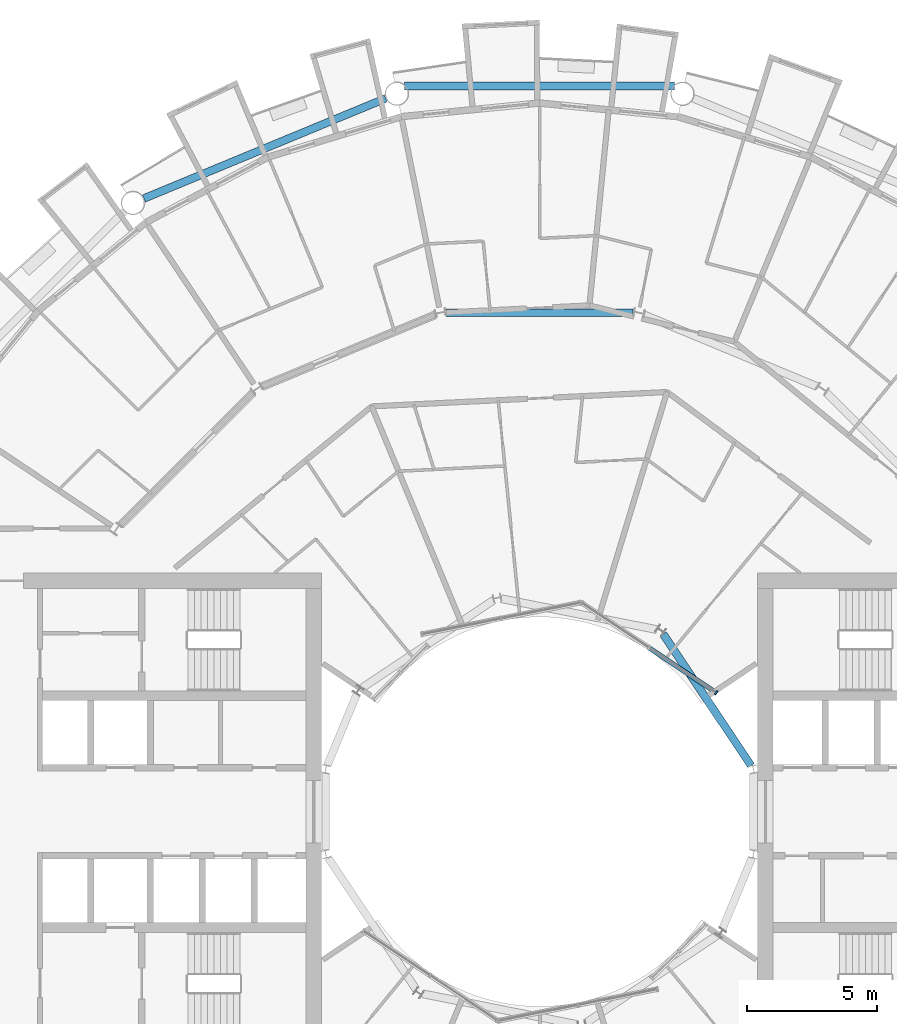
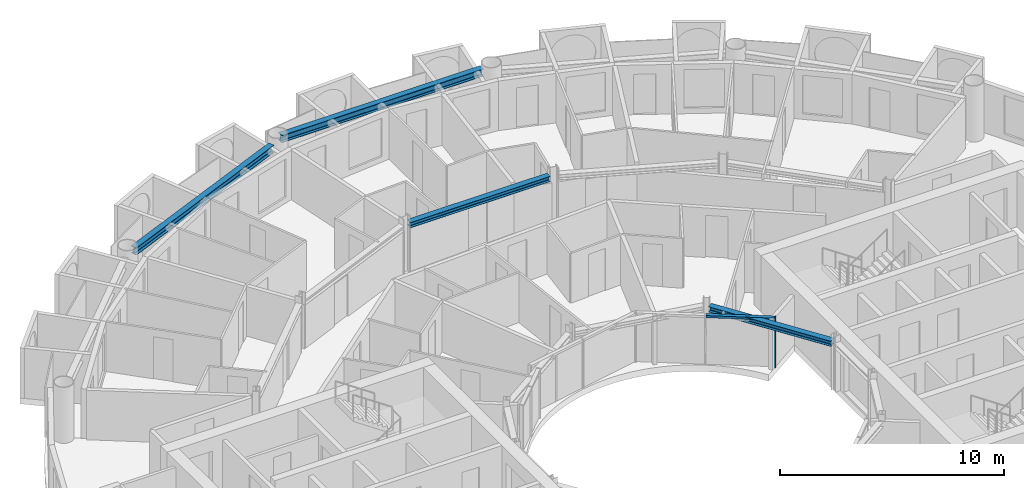
# One storey, part 9 of 27: 4 beams, 2 members, 1 element without a shape of its own.
"""IFC4 building model written with IfcOpenShell, lengths in metres."""

from ifc_helpers import new_model, si_unit, direction, frame, origin, origin_2d, place, context, subcontext, project, spatial, rectangle, i_section, extrude, material, layer, layer_set, material_profile, profile_set, type_object, element, aggregate, save


model = new_model("IFC4")

# Units and contexts
model_context = context("Model", 3, precision=1e-05, world=origin(), true_north=direction((0.0, 1.0)))
body_context = subcontext(model_context, "Body", "Model", "MODEL_VIEW")
ifc_project = project(units=[si_unit("LENGTHUNIT", "METRE"), si_unit("AREAUNIT", "SQUARE_METRE"), si_unit("VOLUMEUNIT", "CUBIC_METRE"), si_unit("PLANEANGLEUNIT", "RADIAN"), si_unit("MASSUNIT", "GRAM", prefix="KILO")], contexts=[model_context])

# Site, building, storey
site_placement = place(None, origin())
site = spatial("IfcSite", under=ifc_project, at=site_placement, CompositionType="ELEMENT")
building_placement = place(site_placement, origin())
building = spatial("IfcBuilding", under=site, at=building_placement, Name="Maasbend Ring Residences", CompositionType="ELEMENT")
storey_placement = place(building_placement, frame((0.0, 0.0, 114.699951171875)))
storey = spatial("IfcBuildingStorey", under=building, at=storey_placement, Name="L32", CompositionType="ELEMENT", Elevation=114.699951171875)

# Curtain wall, members
ifc_material_1 = material(Name="Aluminium and clear glass", Category="aluminium")
ifc_layer = layer(ifc_material_1, 0.179931640625)
ifc_layer_set = layer_set([ifc_layer], Name="CW-W")
curtain_wall_type = type_object("IfcCurtainWallType", Name="CW-W", PredefinedType="NOTDEFINED", material=ifc_layer_set)
curtain_wall_placement = place(storey_placement, origin())
curtain_wall = element("IfcCurtainWall", 1, at=curtain_wall_placement, inside=storey, type_object=curtain_wall_type, Name="Well curtain wall N1", PredefinedType="NOTDEFINED")
ifc_material_2 = material(Name="Aluminium 6063-T6", Category="aluminium")
ifc_material_profile_1 = material_profile(ifc_material_2, rectangle(XDim=0.179931640625, YDim=0.06005859375, at=origin_2d()), Name="AL 180x60")
ifc_profile_set_1 = profile_set([ifc_material_profile_1], Name="Aluminium 6063-T6")
member_type_1 = type_object("IfcMemberType", Name="CWM-W", PredefinedType="MULLION", material=ifc_profile_set_1)
member_1_placement = place(storey_placement, frame((6.805908203125, 4.580810546875, 0.0), z_axis=(0.0, 0.0, 1.0), x_axis=(-0.55557023302, -0.831469612303, 0.0)))
member_1 = element("IfcMember", 2, at=member_1_placement, type_object=member_type_1, Name="Mullion well face", PredefinedType="MULLION", context=body_context, shape_type="SweptSolid", body=[
    extrude(rectangle(XDim=0.179931640625, YDim=0.06005859375, at=origin_2d()), origin(), (0.0, 0.0, 1.0), 2.699951171875),
])
ifc_material_3 = material(Name="Aluminium 6063-T6", Category="aluminium")
ifc_material_profile_2 = material_profile(ifc_material_3, rectangle(XDim=0.179931640625, YDim=0.1201171875, at=origin_2d()), Name="AL 180x120")
ifc_profile_set_2 = profile_set([ifc_material_profile_2], Name="Aluminium 6063-T6")
member_type_2 = type_object("IfcMemberType", Name="CWT-W", PredefinedType="USERDEFINED", material=ifc_profile_set_2)
member_2_placement = place(storey_placement, frame((6.781005859375, 4.59765625, 2.64013671875), z_axis=(-0.831496422459, 0.555530106689, 0.0), x_axis=(-0.555530106689, -0.831496422459, 0.0)))
member_2 = element("IfcMember", 3, at=member_2_placement, type_object=member_type_2, Name="Transom well face", ObjectType="TRANSOM", PredefinedType="USERDEFINED", context=body_context, shape_type="SweptSolid", body=[
    extrude(rectangle(XDim=0.179931640625, YDim=0.1201171875, at=origin_2d()), origin(), (0.0, 0.0, 1.0), 3.053955078125),
])
aggregate(curtain_wall, [member_1, member_2])

# Beams
ifc_material_4 = material(Name="Steel S355J2", Category="steel")
ifc_material_profile_3 = material_profile(ifc_material_4, i_section(OverallWidth=0.300048828125, OverallDepth=0.2900390625, WebThickness=0.008544921875, FlangeThickness=0.013916015625, FilletRadius=0.027099609375, at=origin_2d()), Name="HEA 300")
ifc_profile_set_3 = profile_set([ifc_material_profile_3], Name="Steel S355J2")
beam_type_1 = type_object("IfcBeamType", Name="Corridor ring beam HEA 300", PredefinedType="BEAM", material=ifc_profile_set_3)
beam_1_placement = place(storey_placement, frame((3.603515625, 19.223388671875, 2.554931640625), z_axis=(-1.0, 0.0, 0.0), x_axis=(0.0, -1.0, 0.0)))
element("IfcBeam", 4, at=beam_1_placement, inside=storey, type_object=beam_type_1, Name="Corridor ring beam", PredefinedType="BEAM", context=body_context, shape_type="SweptSolid", body=[
    extrude(i_section(OverallWidth=0.300048828125, OverallDepth=0.2900390625, WebThickness=0.008544921875, FlangeThickness=0.013916015625, FilletRadius=0.027099609375, at=origin_2d()), origin(), (0.0, 0.0, 1.0), 7.20703125),
])
ifc_material_5 = material(Name="Steel S355J2", Category="steel")
ifc_material_profile_4 = material_profile(ifc_material_5, i_section(OverallWidth=0.300048828125, OverallDepth=0.39990234375, WebThickness=0.013427734375, FlangeThickness=0.02392578125, FilletRadius=0.027099609375, at=origin_2d()), Name="HEB 400")
ifc_profile_set_4 = profile_set([ifc_material_profile_4], Name="Steel S355J2")
beam_type_2 = type_object("IfcBeamType", Name="Spandrel ring beam HEB 400", PredefinedType="SPANDREL", material=ifc_profile_set_4)
beam_2_placement = place(storey_placement, frame((5.194580078125, 27.9580078125, 2.5), z_axis=(-1.0, 0.0, 0.0), x_axis=(0.0, -1.0, 0.0)))
element("IfcBeam", 5, at=beam_2_placement, inside=storey, type_object=beam_type_2, Name="Spandrel ring beam", PredefinedType="SPANDREL", context=body_context, shape_type="SweptSolid", body=[
    extrude(i_section(OverallWidth=0.300048828125, OverallDepth=0.39990234375, WebThickness=0.013427734375, FlangeThickness=0.02392578125, FilletRadius=0.027099609375, at=origin_2d()), origin(), (0.0, 0.0, 1.0), 10.38916015625),
])
beam_3_placement = place(storey_placement, frame((-5.923583984375, 27.483154296875, 2.5), z_axis=(-0.92388529709, -0.382669515144, 0.0), x_axis=(0.382669515144, -0.92388529709, 0.0)))
element("IfcBeam", 6, at=beam_3_placement, inside=storey, type_object=beam_type_2, Name="Spandrel ring beam", PredefinedType="SPANDREL", context=body_context, shape_type="SweptSolid", body=[
    extrude(i_section(OverallWidth=0.300048828125, OverallDepth=0.39990234375, WebThickness=0.013427734375, FlangeThickness=0.02392578125, FilletRadius=0.027099609375, at=origin_2d()), origin(), (0.0, 0.0, 1.0), 10.089111328125),
])
ifc_material_6 = material(Name="Steel S355J2", Category="steel")
ifc_material_profile_5 = material_profile(ifc_material_6, i_section(OverallWidth=0.300048828125, OverallDepth=0.2900390625, WebThickness=0.008544921875, FlangeThickness=0.013916015625, FilletRadius=0.027099609375, at=origin_2d()), Name="HEA 300")
ifc_profile_set_5 = profile_set([ifc_material_profile_5], Name="Steel S355J2")
beam_type_3 = type_object("IfcBeamType", Name="Well edge beam HEA 300", PredefinedType="BEAM", material=ifc_profile_set_5)
beam_4_placement = place(storey_placement, frame((8.1484375, 1.773681640625, 2.554931640625), z_axis=(-0.555558236289, 0.831477628137, 0.0), x_axis=(-0.831477628137, -0.555558236289, 0.0)))
element("IfcBeam", 7, at=beam_4_placement, inside=storey, type_object=beam_type_3, Name="Well edge beam", PredefinedType="BEAM", context=body_context, shape_type="SweptSolid", body=[
    extrude(i_section(OverallWidth=0.300048828125, OverallDepth=0.2900390625, WebThickness=0.008544921875, FlangeThickness=0.013916015625, FilletRadius=0.027099609375, at=origin_2d()), origin(), (0.0, 0.0, 1.0), 6.1044921875),
])

save(model, "model.ifc")
